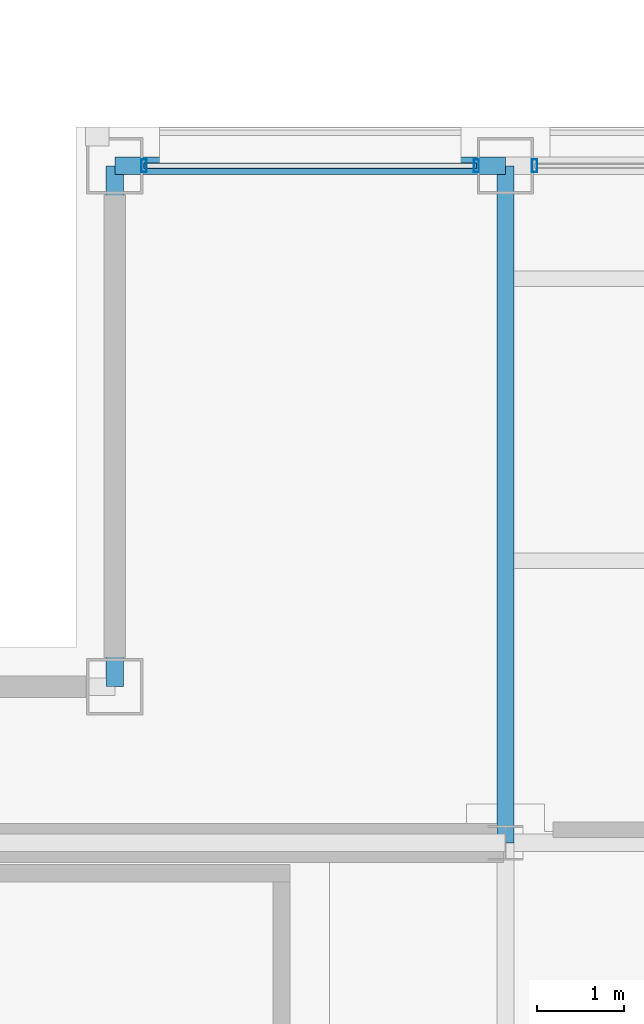
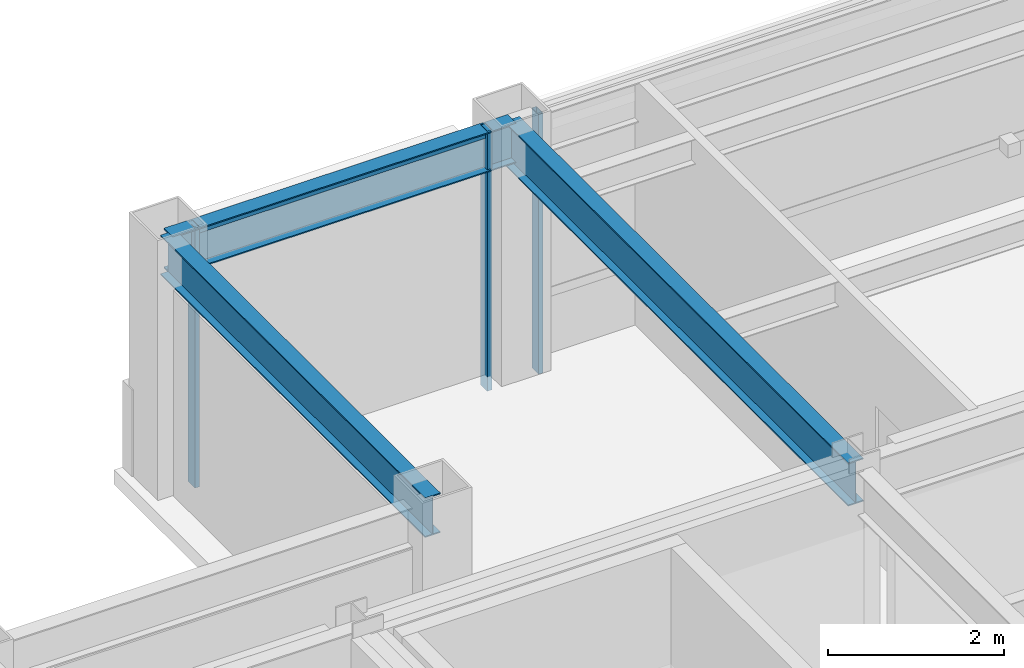
# One storey, part 13 of 20: 4 members, 3 beams, 2 elements without a shape of their own.
"""IFC4 building model written with IfcOpenShell, lengths in metres."""

from ifc_helpers import new_model, si_unit, direction, frame, origin, origin_2d, place, context, subcontext, project, spatial, hollow_rectangle, i_section, extrude, material, layer, layer_set, material_profile, profile_set, type_object, element, aggregate, save


model = new_model("IFC4")

# Units and contexts
model_context = context("Model", 3, precision=1e-05, world=origin(), true_north=direction((0.0, 1.0)))
body_context = subcontext(model_context, "Body", "Model", "MODEL_VIEW")
ifc_project = project(units=[si_unit("LENGTHUNIT", "METRE"), si_unit("AREAUNIT", "SQUARE_METRE"), si_unit("VOLUMEUNIT", "CUBIC_METRE"), si_unit("PLANEANGLEUNIT", "RADIAN"), si_unit("MASSUNIT", "GRAM", prefix="KILO")], contexts=[model_context])

# Site, building, storey
site_placement = place(None, origin())
site = spatial("IfcSite", under=ifc_project, at=site_placement, CompositionType="ELEMENT")
building_placement = place(site_placement, origin())
building = spatial("IfcBuilding", under=site, at=building_placement, Name="Brelmoor Portico Tower", CompositionType="ELEMENT")
storey_placement = place(building_placement, frame((0.0, 0.0, 243.60009765625)))
storey = spatial("IfcBuildingStorey", under=building, at=storey_placement, Name="L64", CompositionType="ELEMENT", Elevation=243.60009765625)

# Beams
ifc_material_1 = material(Name="Steel Q355B", Category="steel")
ifc_material_profile_1 = material_profile(ifc_material_1, i_section(OverallWidth=0.199951171875, OverallDepth=0.60009765625, WebThickness=0.010986328125, FlangeThickness=0.01708984375, at=origin_2d()), Name="HN 600x200x11x17")
ifc_profile_set_1 = profile_set([ifc_material_profile_1], Name="Steel Q355B")
beam_type_1 = type_object("IfcBeamType", Name="BM-PG-600", PredefinedType="BEAM", material=ifc_profile_set_1)
beam_1_placement = place(storey_placement, frame((-8.050048828125, 9.75, 3.099853515625), z_axis=(0.0, 1.0, 0.0), x_axis=(-1.0, 0.0, 0.0)))
element("IfcBeam", 1, at=beam_1_placement, inside=storey, type_object=beam_type_1, Name="L64 Primary Floor Girder PG-05", PredefinedType="BEAM", context=body_context, shape_type="SweptSolid", body=[
    extrude(i_section(OverallWidth=0.199951171875, OverallDepth=0.60009765625, WebThickness=0.010986328125, FlangeThickness=0.01708984375, at=origin_2d()), origin(), (0.0, 0.0, 1.0), 7.800048828125),
])
ifc_material_profile_2 = material_profile(ifc_material_1, i_section(OverallWidth=0.199951171875, OverallDepth=0.550048828125, WebThickness=0.010009765625, FlangeThickness=0.01611328125, at=origin_2d()), Name="HN 550x200x10x16")
ifc_profile_set_2 = profile_set([ifc_material_profile_2], Name="Steel Q355B")
beam_type_2 = type_object("IfcBeamType", Name="BM-SP-550", PredefinedType="SPANDREL", material=ifc_profile_set_2)
beam_2_placement = place(storey_placement, frame((-12.550048828125, 17.550048828125, 3.125), z_axis=(1.0, 0.0, 0.0), x_axis=(0.0, 1.0, 0.0)))
element("IfcBeam", 2, at=beam_2_placement, inside=storey, type_object=beam_type_2, Name="L64 Perimeter Spandrel Beam SP-08", PredefinedType="SPANDREL", context=body_context, shape_type="SweptSolid", body=[
    extrude(i_section(OverallWidth=0.199951171875, OverallDepth=0.550048828125, WebThickness=0.010009765625, FlangeThickness=0.01611328125, at=origin_2d()), origin(), (0.0, 0.0, 1.0), 4.5),
])
beam_3_placement = place(storey_placement, frame((-12.550048828125, 11.550048828125, 3.125), z_axis=(0.0, 1.0, 0.0), x_axis=(-1.0, 0.0, 0.0)))
element("IfcBeam", 3, at=beam_3_placement, inside=storey, type_object=beam_type_2, Name="L64 Perimeter Spandrel Beam SP-15", PredefinedType="SPANDREL", context=body_context, shape_type="SweptSolid", body=[
    extrude(i_section(OverallWidth=0.199951171875, OverallDepth=0.550048828125, WebThickness=0.010009765625, FlangeThickness=0.01611328125, at=origin_2d()), origin(), (0.0, 0.0, 1.0), 6.0),
])

# Curtain wall, members
ifc_material_2 = material(Name="Anodised Aluminium Alloy 6063-T6", Category="aluminium")
ifc_layer_1 = layer(ifc_material_2, 0.179931640625)
ifc_layer_set_1 = layer_set([ifc_layer_1], Name="Anodised Aluminium Alloy 6063-T6")
curtain_wall_type_1 = type_object("IfcCurtainWallType", Name="CW-TOWER-Z4-XB", PredefinedType="NOTDEFINED", material=ifc_layer_set_1)
curtain_wall_1_placement = place(storey_placement, origin())
curtain_wall_1 = element("IfcCurtainWall", 4, at=curtain_wall_1_placement, inside=storey, type_object=curtain_wall_type_1, Name="L64 Curtain Wall CW-L64-02-1", PredefinedType="NOTDEFINED")
ifc_material_profile_3 = material_profile(ifc_material_2, hollow_rectangle(XDim=0.06005859375, YDim=0.14990234375, WallThickness=0.00390625, at=origin_2d()), Name="ALU MULLION 60x150")
ifc_profile_set_3 = profile_set([ifc_material_profile_3], Name="Anodised Aluminium Alloy 6063-T6")
member_type_1 = type_object("IfcMemberType", Name="MB-CW-MULL-150", PredefinedType="MULLION", material=ifc_profile_set_3)
member_1_placement = place(storey_placement, frame((-12.215087890625, 17.550048828125, -0.2001953125), z_axis=(0.0, 0.0, 1.0), x_axis=(1.0, 0.0, 0.0)))
member_1 = element("IfcMember", 5, at=member_1_placement, type_object=member_type_1, Name="CW-L64-02-1 Mullion 00", PredefinedType="MULLION", context=body_context, shape_type="SweptSolid", body=[
    extrude(hollow_rectangle(XDim=0.06005859375, YDim=0.14990234375, WallThickness=0.00390625, at=origin_2d()), origin(), (0.0, 0.0, 1.0), 3.60009765625),
])
member_2_placement = place(storey_placement, frame((-8.385009765625, 17.550048828125, -0.2001953125), z_axis=(0.0, 0.0, 1.0), x_axis=(1.0, 0.0, 0.0)))
member_2 = element("IfcMember", 6, at=member_2_placement, type_object=member_type_1, Name="CW-L64-02-1 Mullion 01", PredefinedType="MULLION", context=body_context, shape_type="SweptSolid", body=[
    extrude(hollow_rectangle(XDim=0.06005859375, YDim=0.14990234375, WallThickness=0.00390625, at=origin_2d()), origin(), (0.0, 0.0, 1.0), 3.60009765625),
])

# Curtain wall, member
ifc_layer_2 = layer(ifc_material_2, 0.179931640625)
ifc_layer_set_2 = layer_set([ifc_layer_2], Name="Anodised Aluminium Alloy 6063-T6")
curtain_wall_type_2 = type_object("IfcCurtainWallType", Name="CW-TOWER-Z4", PredefinedType="NOTDEFINED", material=ifc_layer_set_2)
curtain_wall_2_placement = place(storey_placement, origin())
curtain_wall_2 = element("IfcCurtainWall", 7, at=curtain_wall_2_placement, inside=storey, type_object=curtain_wall_type_2, Name="L64 Curtain Wall CW-L64-02-2", PredefinedType="NOTDEFINED")
member_3_placement = place(storey_placement, frame((-7.715087890625, 17.550048828125, -0.2001953125), z_axis=(0.0, 0.0, 1.0), x_axis=(1.0, 0.0, 0.0)))
member_3 = element("IfcMember", 8, at=member_3_placement, type_object=member_type_1, Name="CW-L64-02-2 Mullion 00", PredefinedType="MULLION", context=body_context, shape_type="SweptSolid", body=[
    extrude(hollow_rectangle(XDim=0.06005859375, YDim=0.14990234375, WallThickness=0.00390625, at=origin_2d()), origin(), (0.0, 0.0, 1.0), 3.60009765625),
])
aggregate(curtain_wall_2, [member_3])

# Member
ifc_material_profile_4 = material_profile(ifc_material_2, hollow_rectangle(XDim=0.06005859375, YDim=0.125, WallThickness=0.00341796875, at=origin_2d()), Name="ALU TRANSOM 60x125")
ifc_profile_set_4 = profile_set([ifc_material_profile_4], Name="Anodised Aluminium Alloy 6063-T6")
member_type_2 = type_object("IfcMemberType", Name="MB-CW-TRAN-125", PredefinedType="USERDEFINED", material=ifc_profile_set_4)
member_4_placement = place(storey_placement, frame((-12.215087890625, 17.550048828125, 3.33740234375), z_axis=(1.0, 0.0, 0.0), x_axis=(0.0, 1.0, 0.0)))
member_4 = element("IfcMember", 9, at=member_4_placement, type_object=member_type_2, Name="CW-L64-02-1 Transom 1-00", ObjectType="TRANSOM", PredefinedType="USERDEFINED", context=body_context, shape_type="SweptSolid", body=[
    extrude(hollow_rectangle(XDim=0.06005859375, YDim=0.125, WallThickness=0.00341796875, at=origin_2d()), origin(), (0.0, 0.0, 1.0), 3.830078125),
])

aggregate(curtain_wall_1, [member_1, member_2, member_4])

save(model, "model.ifc")
